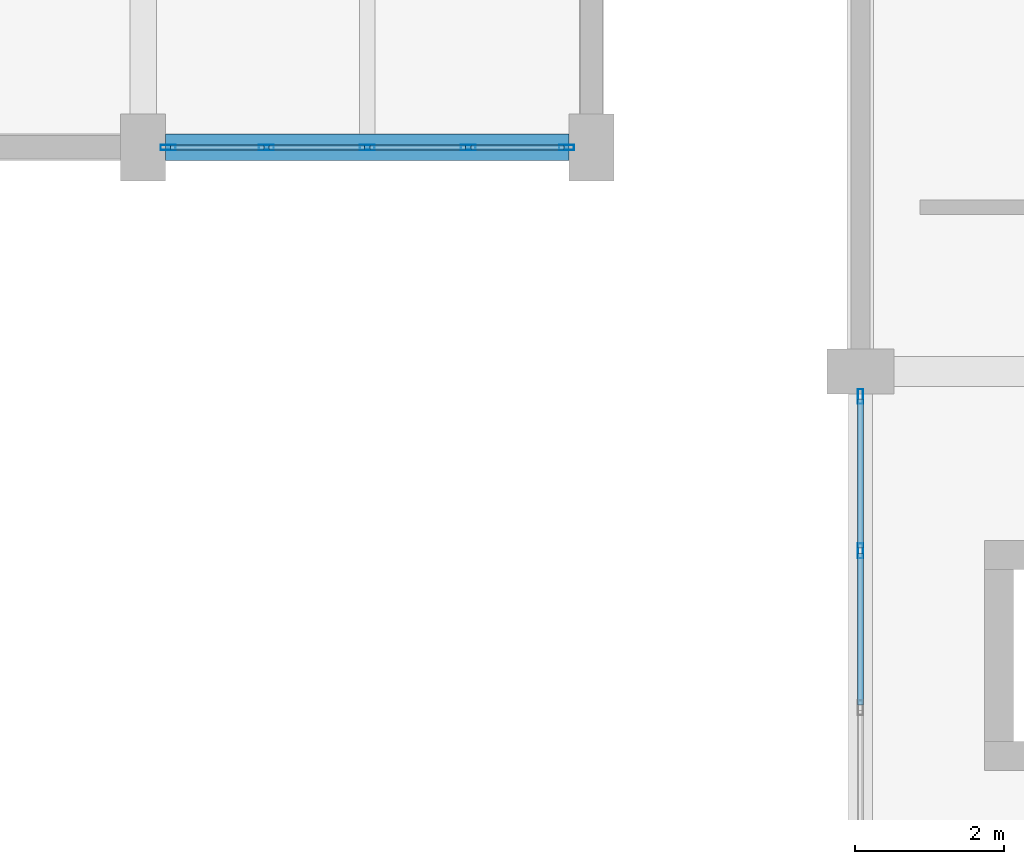
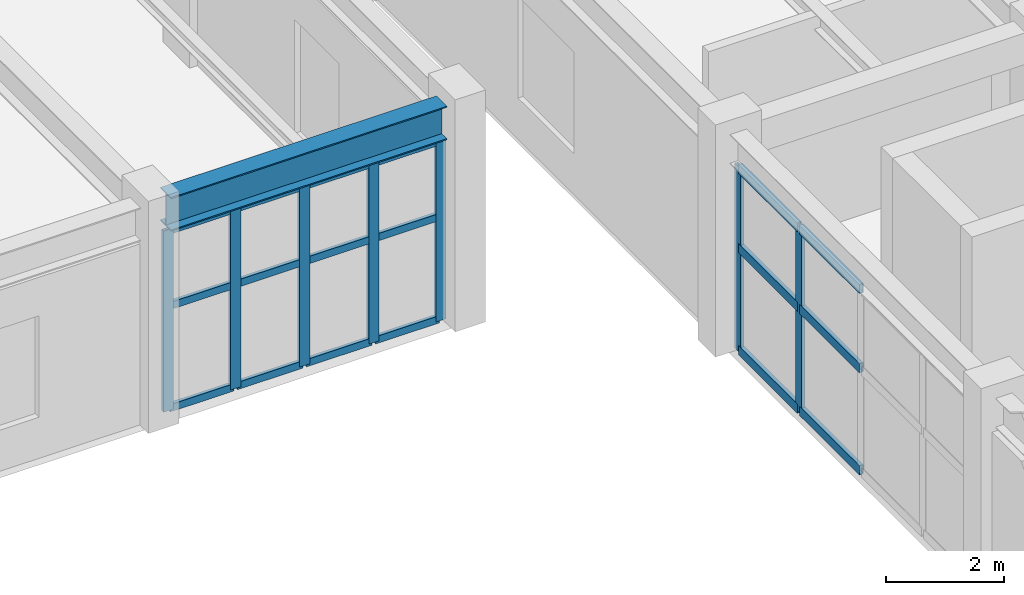
# One storey, part 15 of 80: 25 members, 1 beam, 2 elements without a shape of their own.
"""IFC4 building model written with IfcOpenShell, lengths in metres."""

from ifc_helpers import new_model, si_unit, direction, frame, origin, origin_2d, place, context, subcontext, project, spatial, hollow_rectangle, i_section, extrude, material, layer, layer_set, material_profile, profile_set, type_object, element, aggregate, save


model = new_model("IFC4")

# Units and contexts
model_context = context("Model", 3, precision=1e-05, world=origin(), true_north=direction((0.0, 1.0)))
body_context = subcontext(model_context, "Body", "Model", "MODEL_VIEW")
ifc_project = project(units=[si_unit("LENGTHUNIT", "METRE"), si_unit("AREAUNIT", "SQUARE_METRE"), si_unit("VOLUMEUNIT", "CUBIC_METRE"), si_unit("PLANEANGLEUNIT", "RADIAN"), si_unit("MASSUNIT", "GRAM", prefix="KILO")], contexts=[model_context])

# Site, building, storey
site_placement = place(None, origin())
site = spatial("IfcSite", under=ifc_project, at=site_placement, CompositionType="ELEMENT")
building_placement = place(site_placement, origin())
building = spatial("IfcBuilding", under=site, at=building_placement, Name="Vaelkrest Opera House", CompositionType="ELEMENT")
storey_placement = place(building_placement, frame((0.0, 0.0, 15.0)))
storey = spatial("IfcBuildingStorey", under=building, at=storey_placement, Name="L03", CompositionType="ELEMENT", Elevation=15.0)

# Curtain wall, members
ifc_material_1 = material(Name="Dark bronze anodized aluminium", Category="aluminium")
ifc_layer_1 = layer(ifc_material_1, 0.22998046875)
ifc_layer_set_1 = layer_set([ifc_layer_1], Name="Dark bronze anodized aluminium")
curtain_wall_type_1 = type_object("IfcCurtainWallType", Name="CW06", PredefinedType="NOTDEFINED", material=ifc_layer_set_1)
curtain_wall_1_placement = place(storey_placement, origin())
curtain_wall_1 = element("IfcCurtainWall", 1, at=curtain_wall_1_placement, inside=storey, type_object=curtain_wall_type_1, Name="Curtain wall CW-L03-048", PredefinedType="NOTDEFINED")
ifc_material_profile_1 = material_profile(ifc_material_1, hollow_rectangle(XDim=0.070068359375, YDim=0.199951171875, WallThickness=0.004150390625, at=origin_2d()), Name="CWM70X200")
ifc_profile_set_1 = profile_set([ifc_material_profile_1], Name="Dark bronze anodized aluminium")
member_type_1 = type_object("IfcMemberType", Name="CWM02", PredefinedType="MULLION", material=ifc_profile_set_1)
member_1_placement = place(storey_placement, frame((-30.0, -22.198974609375, 0.0), z_axis=(0.0, 0.0, 1.0), x_axis=(-1.0, 0.0, 0.0)))
member_1 = element("IfcMember", 2, at=member_1_placement, type_object=member_type_1, Name="CW06 mullion 4", PredefinedType="MULLION", context=body_context, shape_type="SweptSolid", body=[
    extrude(hollow_rectangle(XDim=0.070068359375, YDim=0.199951171875, WallThickness=0.004150390625, at=origin_2d()), origin(), (0.0, 0.0, 1.0), 3.8291015625),
])
member_2_placement = place(storey_placement, frame((-30.0, -20.133056640625, 0.0), z_axis=(0.0, 0.0, 1.0), x_axis=(-1.0, 0.0, 0.0)))
member_2 = element("IfcMember", 3, at=member_2_placement, type_object=member_type_1, Name="CW06 mullion 5", PredefinedType="MULLION", context=body_context, shape_type="SweptSolid", body=[
    extrude(hollow_rectangle(XDim=0.070068359375, YDim=0.199951171875, WallThickness=0.004150390625, at=origin_2d()), origin(), (0.0, 0.0, 1.0), 3.8291015625),
])

ifc_layer_2 = layer(ifc_material_1, 0.18994140625)
ifc_layer_set_2 = layer_set([ifc_layer_2], Name="Dark bronze anodized aluminium")
curtain_wall_type_2 = type_object("IfcCurtainWallType", Name="CW02", PredefinedType="NOTDEFINED", material=ifc_layer_set_2)
curtain_wall_2_placement = place(storey_placement, origin())
curtain_wall_2 = element("IfcCurtainWall", 4, at=curtain_wall_2_placement, inside=storey, type_object=curtain_wall_type_2, Name="Curtain wall CW-L03-125", PredefinedType="NOTDEFINED")
member_3_placement = place(storey_placement, frame((-33.93310546875, -16.800048828125, 0.0), z_axis=(0.0, 0.0, 1.0), x_axis=(0.0, -1.0, 0.0)))
member_3 = element("IfcMember", 5, at=member_3_placement, type_object=member_type_1, Name="CW02 mullion 1", PredefinedType="MULLION", context=body_context, shape_type="SweptSolid", body=[
    extrude(hollow_rectangle(XDim=0.070068359375, YDim=0.199951171875, WallThickness=0.004150390625, at=origin_2d()), origin(), (0.0, 0.0, 1.0), 3.7451171875),
])
member_4_placement = place(storey_placement, frame((-35.2490234375, -16.800048828125, 0.0), z_axis=(0.0, 0.0, 1.0), x_axis=(0.0, -1.0, 0.0)))
member_4 = element("IfcMember", 6, at=member_4_placement, type_object=member_type_1, Name="CW02 mullion 2", PredefinedType="MULLION", context=body_context, shape_type="SweptSolid", body=[
    extrude(hollow_rectangle(XDim=0.070068359375, YDim=0.199951171875, WallThickness=0.004150390625, at=origin_2d()), origin(), (0.0, 0.0, 1.0), 3.7451171875),
])
member_5_placement = place(storey_placement, frame((-36.60009765625, -16.800048828125, 0.0), z_axis=(0.0, 0.0, 1.0), x_axis=(0.0, -1.0, 0.0)))
member_5 = element("IfcMember", 7, at=member_5_placement, type_object=member_type_1, Name="CW02 mullion 3", PredefinedType="MULLION", context=body_context, shape_type="SweptSolid", body=[
    extrude(hollow_rectangle(XDim=0.070068359375, YDim=0.199951171875, WallThickness=0.004150390625, at=origin_2d()), origin(), (0.0, 0.0, 1.0), 3.7451171875),
])
member_6_placement = place(storey_placement, frame((-37.950927734375, -16.800048828125, 0.0), z_axis=(0.0, 0.0, 1.0), x_axis=(0.0, -1.0, 0.0)))
member_6 = element("IfcMember", 8, at=member_6_placement, type_object=member_type_1, Name="CW02 mullion 4", PredefinedType="MULLION", context=body_context, shape_type="SweptSolid", body=[
    extrude(hollow_rectangle(XDim=0.070068359375, YDim=0.199951171875, WallThickness=0.004150390625, at=origin_2d()), origin(), (0.0, 0.0, 1.0), 3.7451171875),
])
member_7_placement = place(storey_placement, frame((-39.26708984375, -16.800048828125, 0.0), z_axis=(0.0, 0.0, 1.0), x_axis=(0.0, -1.0, 0.0)))
member_7 = element("IfcMember", 9, at=member_7_placement, type_object=member_type_1, Name="CW02 mullion 5", PredefinedType="MULLION", context=body_context, shape_type="SweptSolid", body=[
    extrude(hollow_rectangle(XDim=0.070068359375, YDim=0.199951171875, WallThickness=0.004150390625, at=origin_2d()), origin(), (0.0, 0.0, 1.0), 3.7451171875),
])
ifc_material_profile_2 = material_profile(ifc_material_1, hollow_rectangle(XDim=0.070068359375, YDim=0.14990234375, WallThickness=0.004150390625, at=origin_2d()), Name="CWT70X150")
ifc_profile_set_2 = profile_set([ifc_material_profile_2], Name="Dark bronze anodized aluminium")
member_type_2 = type_object("IfcMemberType", Name="CWT02", PredefinedType="USERDEFINED", material=ifc_profile_set_2)
member_8_placement = place(storey_placement, frame((-33.968017578125, -16.800048828125, 0.034912109375), z_axis=(-1.0, 0.0, 0.0), x_axis=(0.0, -1.0, 0.0)))
member_8 = element("IfcMember", 10, at=member_8_placement, type_object=member_type_2, Name="CW02 transom 1.1", ObjectType="TRANSOM", PredefinedType="USERDEFINED", context=body_context, shape_type="SweptSolid", body=[
    extrude(hollow_rectangle(XDim=0.070068359375, YDim=0.14990234375, WallThickness=0.004150390625, at=origin_2d()), origin(), (0.0, 0.0, 1.0), 1.24609375),
])
member_9_placement = place(storey_placement, frame((-33.968017578125, -16.800048828125, 2.14990234375), z_axis=(-1.0, 0.0, 0.0), x_axis=(0.0, -1.0, 0.0)))
member_9 = element("IfcMember", 11, at=member_9_placement, type_object=member_type_2, Name="CW02 transom 1.2", ObjectType="TRANSOM", PredefinedType="USERDEFINED", context=body_context, shape_type="SweptSolid", body=[
    extrude(hollow_rectangle(XDim=0.070068359375, YDim=0.14990234375, WallThickness=0.004150390625, at=origin_2d()), origin(), (0.0, 0.0, 1.0), 1.24609375),
])
member_10_placement = place(storey_placement, frame((-33.968017578125, -16.800048828125, 3.7099609375), z_axis=(-1.0, 0.0, 0.0), x_axis=(0.0, -1.0, 0.0)))
member_10 = element("IfcMember", 12, at=member_10_placement, type_object=member_type_2, Name="CW02 transom 1.3", ObjectType="TRANSOM", PredefinedType="USERDEFINED", context=body_context, shape_type="SweptSolid", body=[
    extrude(hollow_rectangle(XDim=0.070068359375, YDim=0.14990234375, WallThickness=0.004150390625, at=origin_2d()), origin(), (0.0, 0.0, 1.0), 1.24609375),
])
member_11_placement = place(storey_placement, frame((-35.283935546875, -16.800048828125, 0.034912109375), z_axis=(-1.0, 0.0, 0.0), x_axis=(0.0, -1.0, 0.0)))
member_11 = element("IfcMember", 13, at=member_11_placement, type_object=member_type_2, Name="CW02 transom 2.1", ObjectType="TRANSOM", PredefinedType="USERDEFINED", context=body_context, shape_type="SweptSolid", body=[
    extrude(hollow_rectangle(XDim=0.070068359375, YDim=0.14990234375, WallThickness=0.004150390625, at=origin_2d()), origin(), (0.0, 0.0, 1.0), 1.281005859375),
])
member_12_placement = place(storey_placement, frame((-35.283935546875, -16.800048828125, 2.14990234375), z_axis=(-1.0, 0.0, 0.0), x_axis=(0.0, -1.0, 0.0)))
member_12 = element("IfcMember", 14, at=member_12_placement, type_object=member_type_2, Name="CW02 transom 2.2", ObjectType="TRANSOM", PredefinedType="USERDEFINED", context=body_context, shape_type="SweptSolid", body=[
    extrude(hollow_rectangle(XDim=0.070068359375, YDim=0.14990234375, WallThickness=0.004150390625, at=origin_2d()), origin(), (0.0, 0.0, 1.0), 1.281005859375),
])
member_13_placement = place(storey_placement, frame((-35.283935546875, -16.800048828125, 3.7099609375), z_axis=(-1.0, 0.0, 0.0), x_axis=(0.0, -1.0, 0.0)))
member_13 = element("IfcMember", 15, at=member_13_placement, type_object=member_type_2, Name="CW02 transom 2.3", ObjectType="TRANSOM", PredefinedType="USERDEFINED", context=body_context, shape_type="SweptSolid", body=[
    extrude(hollow_rectangle(XDim=0.070068359375, YDim=0.14990234375, WallThickness=0.004150390625, at=origin_2d()), origin(), (0.0, 0.0, 1.0), 1.281005859375),
])
member_14_placement = place(storey_placement, frame((-36.635009765625, -16.800048828125, 0.034912109375), z_axis=(-1.0, 0.0, 0.0), x_axis=(0.0, -1.0, 0.0)))
member_14 = element("IfcMember", 16, at=member_14_placement, type_object=member_type_2, Name="CW02 transom 3.1", ObjectType="TRANSOM", PredefinedType="USERDEFINED", context=body_context, shape_type="SweptSolid", body=[
    extrude(hollow_rectangle(XDim=0.070068359375, YDim=0.14990234375, WallThickness=0.004150390625, at=origin_2d()), origin(), (0.0, 0.0, 1.0), 1.281005859375),
])
member_15_placement = place(storey_placement, frame((-36.635009765625, -16.800048828125, 2.14990234375), z_axis=(-1.0, 0.0, 0.0), x_axis=(0.0, -1.0, 0.0)))
member_15 = element("IfcMember", 17, at=member_15_placement, type_object=member_type_2, Name="CW02 transom 3.2", ObjectType="TRANSOM", PredefinedType="USERDEFINED", context=body_context, shape_type="SweptSolid", body=[
    extrude(hollow_rectangle(XDim=0.070068359375, YDim=0.14990234375, WallThickness=0.004150390625, at=origin_2d()), origin(), (0.0, 0.0, 1.0), 1.281005859375),
])
member_16_placement = place(storey_placement, frame((-36.635009765625, -16.800048828125, 3.7099609375), z_axis=(-1.0, 0.0, 0.0), x_axis=(0.0, -1.0, 0.0)))
member_16 = element("IfcMember", 18, at=member_16_placement, type_object=member_type_2, Name="CW02 transom 3.3", ObjectType="TRANSOM", PredefinedType="USERDEFINED", context=body_context, shape_type="SweptSolid", body=[
    extrude(hollow_rectangle(XDim=0.070068359375, YDim=0.14990234375, WallThickness=0.004150390625, at=origin_2d()), origin(), (0.0, 0.0, 1.0), 1.281005859375),
])
member_17_placement = place(storey_placement, frame((-37.986083984375, -16.800048828125, 0.034912109375), z_axis=(-1.0, 0.0, 0.0), x_axis=(0.0, -1.0, 0.0)))
member_17 = element("IfcMember", 19, at=member_17_placement, type_object=member_type_2, Name="CW02 transom 4.1", ObjectType="TRANSOM", PredefinedType="USERDEFINED", context=body_context, shape_type="SweptSolid", body=[
    extrude(hollow_rectangle(XDim=0.070068359375, YDim=0.14990234375, WallThickness=0.004150390625, at=origin_2d()), origin(), (0.0, 0.0, 1.0), 1.245849609375),
])
member_18_placement = place(storey_placement, frame((-37.986083984375, -16.800048828125, 2.14990234375), z_axis=(-1.0, 0.0, 0.0), x_axis=(0.0, -1.0, 0.0)))
member_18 = element("IfcMember", 20, at=member_18_placement, type_object=member_type_2, Name="CW02 transom 4.2", ObjectType="TRANSOM", PredefinedType="USERDEFINED", context=body_context, shape_type="SweptSolid", body=[
    extrude(hollow_rectangle(XDim=0.070068359375, YDim=0.14990234375, WallThickness=0.004150390625, at=origin_2d()), origin(), (0.0, 0.0, 1.0), 1.245849609375),
])
member_19_placement = place(storey_placement, frame((-37.986083984375, -16.800048828125, 3.7099609375), z_axis=(-1.0, 0.0, 0.0), x_axis=(0.0, -1.0, 0.0)))
member_19 = element("IfcMember", 21, at=member_19_placement, type_object=member_type_2, Name="CW02 transom 4.3", ObjectType="TRANSOM", PredefinedType="USERDEFINED", context=body_context, shape_type="SweptSolid", body=[
    extrude(hollow_rectangle(XDim=0.070068359375, YDim=0.14990234375, WallThickness=0.004150390625, at=origin_2d()), origin(), (0.0, 0.0, 1.0), 1.245849609375),
])
aggregate(curtain_wall_2, [member_3, member_4, member_5, member_6, member_7, member_8, member_9, member_10, member_11, member_12, member_13, member_14, member_15, member_16, member_17, member_18, member_19])

# Member
ifc_material_profile_3 = material_profile(ifc_material_1, hollow_rectangle(XDim=0.080078125, YDim=0.18994140625, WallThickness=0.0048828125, at=origin_2d()), Name="CWT80X190")
ifc_profile_set_3 = profile_set([ifc_material_profile_3], Name="Dark bronze anodized aluminium")
member_type_3 = type_object("IfcMemberType", Name="CWT04", PredefinedType="USERDEFINED", material=ifc_profile_set_3)
member_20_placement = place(storey_placement, frame((-30.0, -24.264892578125, 0.0400390625), z_axis=(0.0, 1.0, 0.0), x_axis=(-1.0, 0.0, 0.0)))
member_20 = element("IfcMember", 22, at=member_20_placement, type_object=member_type_3, Name="CW06 transom 3.1", ObjectType="TRANSOM", PredefinedType="USERDEFINED", context=body_context, shape_type="SweptSolid", body=[
    extrude(hollow_rectangle(XDim=0.080078125, YDim=0.18994140625, WallThickness=0.0048828125, at=origin_2d()), origin(), (0.0, 0.0, 1.0), 2.031005859375),
])

member_21_placement = place(storey_placement, frame((-30.0, -24.264892578125, 2.14990234375), z_axis=(0.0, 1.0, 0.0), x_axis=(-1.0, 0.0, 0.0)))
member_21 = element("IfcMember", 23, at=member_21_placement, type_object=member_type_3, Name="CW06 transom 3.2", ObjectType="TRANSOM", PredefinedType="USERDEFINED", context=body_context, shape_type="SweptSolid", body=[
    extrude(hollow_rectangle(XDim=0.080078125, YDim=0.18994140625, WallThickness=0.0048828125, at=origin_2d()), origin(), (0.0, 0.0, 1.0), 2.031005859375),
])

member_22_placement = place(storey_placement, frame((-30.0, -24.264892578125, 3.7890625), z_axis=(0.0, 1.0, 0.0), x_axis=(-1.0, 0.0, 0.0)))
member_22 = element("IfcMember", 24, at=member_22_placement, type_object=member_type_3, Name="CW06 transom 3.3", ObjectType="TRANSOM", PredefinedType="USERDEFINED", context=body_context, shape_type="SweptSolid", body=[
    extrude(hollow_rectangle(XDim=0.080078125, YDim=0.18994140625, WallThickness=0.0048828125, at=origin_2d()), origin(), (0.0, 0.0, 1.0), 2.031005859375),
])

member_23_placement = place(storey_placement, frame((-30.0, -22.1640625, 0.0400390625), z_axis=(0.0, 1.0, 0.0), x_axis=(-1.0, 0.0, 0.0)))
member_23 = element("IfcMember", 25, at=member_23_placement, type_object=member_type_3, Name="CW06 transom 4.1", ObjectType="TRANSOM", PredefinedType="USERDEFINED", context=body_context, shape_type="SweptSolid", body=[
    extrude(hollow_rectangle(XDim=0.080078125, YDim=0.18994140625, WallThickness=0.0048828125, at=origin_2d()), origin(), (0.0, 0.0, 1.0), 1.99609375),
])

member_24_placement = place(storey_placement, frame((-30.0, -22.1640625, 2.14990234375), z_axis=(0.0, 1.0, 0.0), x_axis=(-1.0, 0.0, 0.0)))
member_24 = element("IfcMember", 26, at=member_24_placement, type_object=member_type_3, Name="CW06 transom 4.2", ObjectType="TRANSOM", PredefinedType="USERDEFINED", context=body_context, shape_type="SweptSolid", body=[
    extrude(hollow_rectangle(XDim=0.080078125, YDim=0.18994140625, WallThickness=0.0048828125, at=origin_2d()), origin(), (0.0, 0.0, 1.0), 1.99609375),
])

member_25_placement = place(storey_placement, frame((-30.0, -22.1640625, 3.7890625), z_axis=(0.0, 1.0, 0.0), x_axis=(-1.0, 0.0, 0.0)))
member_25 = element("IfcMember", 27, at=member_25_placement, type_object=member_type_3, Name="CW06 transom 4.3", ObjectType="TRANSOM", PredefinedType="USERDEFINED", context=body_context, shape_type="SweptSolid", body=[
    extrude(hollow_rectangle(XDim=0.080078125, YDim=0.18994140625, WallThickness=0.0048828125, at=origin_2d()), origin(), (0.0, 0.0, 1.0), 1.99609375),
])

aggregate(curtain_wall_1, [member_1, member_2, member_20, member_21, member_22, member_23, member_24, member_25])

# Beam
ifc_material_2 = material(Name="Steel A992 Gr50", Category="steel")
ifc_material_profile_4 = material_profile(ifc_material_2, i_section(OverallWidth=0.35498046875, OverallDepth=0.695068359375, WebThickness=0.015380859375, FlangeThickness=0.02490234375, at=origin_2d()), Name="W27X146")
ifc_profile_set_4 = profile_set([ifc_material_profile_4], Name="Steel A992 Gr50")
beam_type = type_object("IfcBeamType", Name="SP02", PredefinedType="SPANDREL", material=ifc_profile_set_4)
beam_placement = place(storey_placement, frame((-39.300048828125, -16.800048828125, 4.157470703125), z_axis=(1.0, 0.0, 0.0), x_axis=(0.0, 1.0, 0.0)))
element("IfcBeam", 28, at=beam_placement, inside=storey, type_object=beam_type, Name="Beam BM-V3-L03-1740", PredefinedType="SPANDREL", context=body_context, shape_type="SweptSolid", body=[
    extrude(i_section(OverallWidth=0.35498046875, OverallDepth=0.695068359375, WebThickness=0.015380859375, FlangeThickness=0.02490234375, at=origin_2d()), origin(), (0.0, 0.0, 1.0), 5.400146484375),
])

save(model, "model.ifc")
